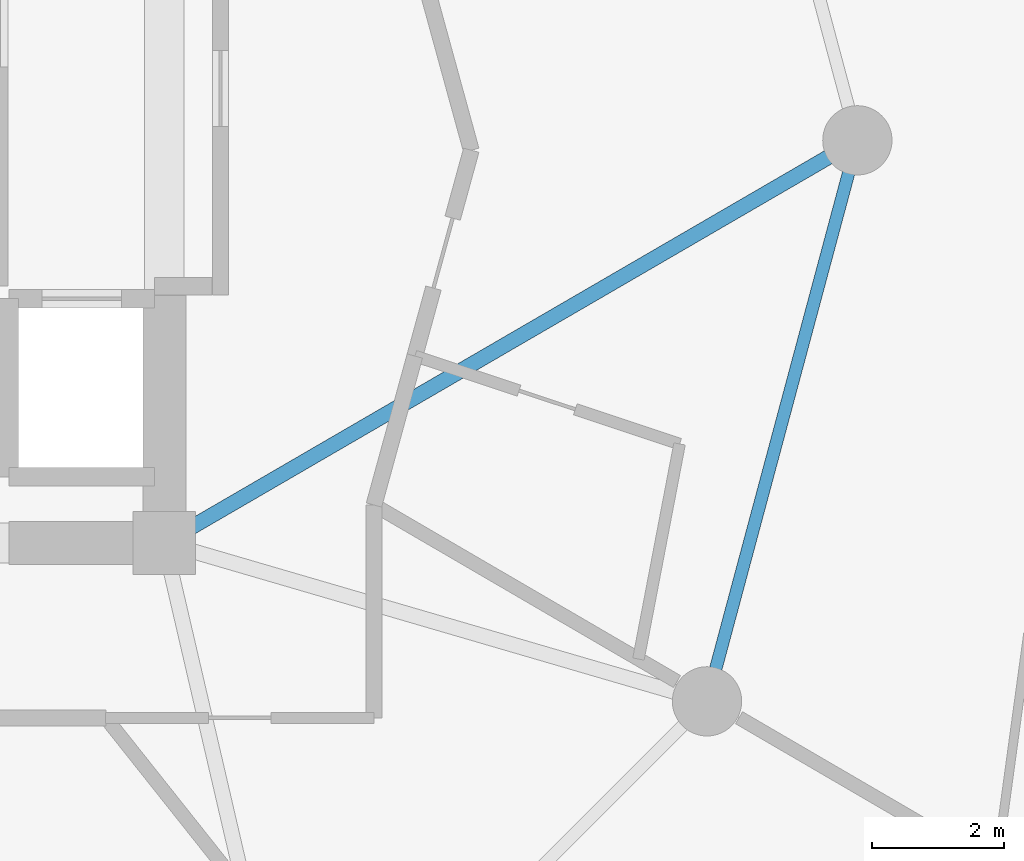
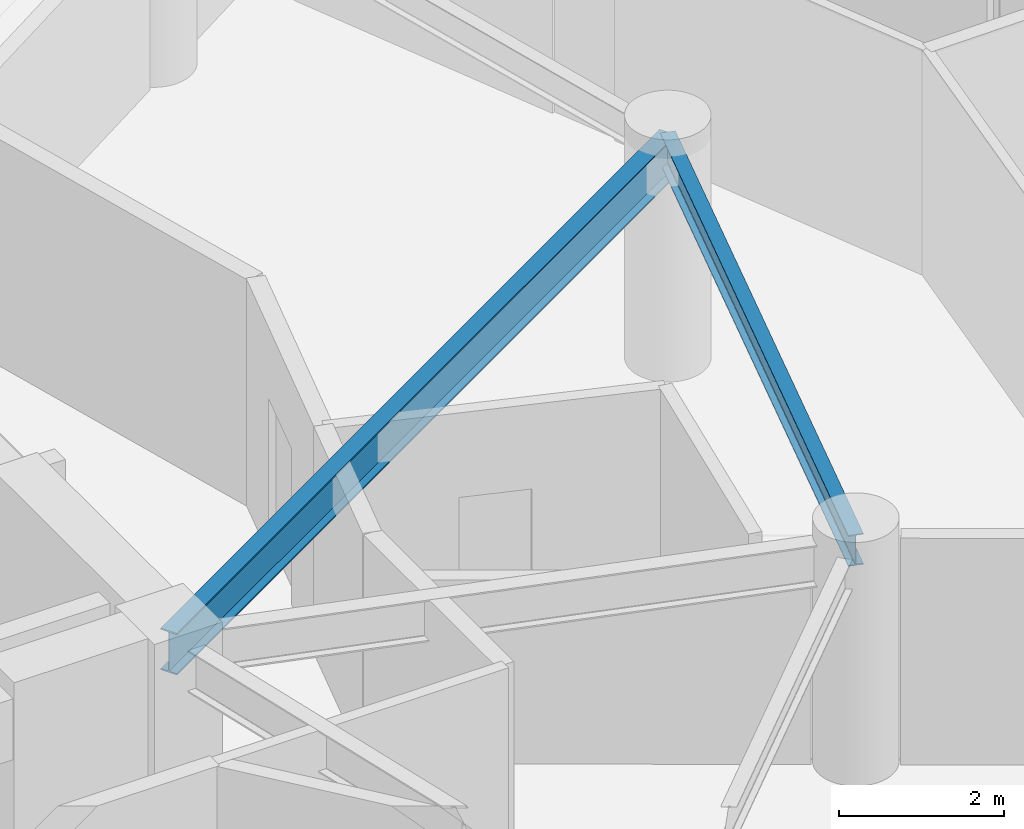
# One storey, part 10 of 21: 2 beams.
"""IFC4 building model written with IfcOpenShell, lengths in metres."""

from ifc_helpers import new_model, si_unit, direction, frame, origin, origin_2d, place, context, subcontext, project, spatial, i_section, extrude, material, material_profile, profile_set, type_object, element, save


model = new_model("IFC4")

# Units and contexts
model_context = context("Model", 3, precision=1e-05, world=origin(), true_north=direction((0.0, 1.0)))
body_context = subcontext(model_context, "Body", "Model", "MODEL_VIEW")
ifc_project = project(units=[si_unit("LENGTHUNIT", "METRE"), si_unit("AREAUNIT", "SQUARE_METRE"), si_unit("VOLUMEUNIT", "CUBIC_METRE"), si_unit("PLANEANGLEUNIT", "RADIAN"), si_unit("MASSUNIT", "GRAM", prefix="KILO")], contexts=[model_context])

# Site, building, storey
site_placement = place(None, origin())
site = spatial("IfcSite", under=ifc_project, at=site_placement, CompositionType="ELEMENT")
building_placement = place(site_placement, origin())
building = spatial("IfcBuilding", under=site, at=building_placement, Name="Solvirekh Grand Hotel", CompositionType="ELEMENT")
storey_placement = place(building_placement, frame((0.0, 0.0, 142.199951171875)))
storey = spatial("IfcBuildingStorey", under=building, at=storey_placement, Name="L36", CompositionType="ELEMENT", Elevation=142.199951171875)

# Beams
ifc_material = material(Name="Steel S355", Category="steel")
ifc_material_profile_1 = material_profile(ifc_material, i_section(OverallWidth=0.22802734375, OverallDepth=0.616943359375, WebThickness=0.012939453125, FlangeThickness=0.02001953125, FilletRadius=0.014892578125, at=origin_2d()), Name="W610X140")
ifc_profile_set_1 = profile_set([ifc_material_profile_1], Name="Steel S355")
beam_type_1 = type_object("IfcBeamType", Name="Beam_Radial_W610", PredefinedType="BEAM", material=ifc_profile_set_1)
beam_1_placement = place(storey_placement, frame((6.5, -6.10009765625, 3.0419921875), z_axis=(0.864670076815, 0.50234018181, 0.0), x_axis=(-0.50234018181, 0.864670076815, 0.0)))
element("IfcBeam", 1, at=beam_1_placement, inside=storey, type_object=beam_type_1, Name="L36 radial floor beam R01", PredefinedType="BEAM", context=body_context, shape_type="SweptSolid", body=[
    extrude(i_section(OverallWidth=0.22802734375, OverallDepth=0.616943359375, WebThickness=0.012939453125, FlangeThickness=0.02001953125, FilletRadius=0.014892578125, at=origin_2d()), origin(), (0.0, 0.0, 1.0), 12.143310546875),
])
ifc_material_profile_2 = material_profile(ifc_material, i_section(OverallWidth=0.18994140625, OverallDepth=0.45703125, WebThickness=0.009033203125, FlangeThickness=0.013916015625, FilletRadius=0.012939453125, at=origin_2d()), Name="W460X74")
ifc_profile_set_2 = profile_set([ifc_material_profile_2], Name="Steel S355")
beam_type_2 = type_object("IfcBeamType", Name="Spandrel_Ring_W460", PredefinedType="SPANDREL", material=ifc_profile_set_2)
beam_2_placement = place(storey_placement, frame((14.721923828125, -8.5, 3.1220703125), z_axis=(0.258872908946, 0.965911391906, 0.0), x_axis=(-0.965911391906, 0.258872908946, 0.0)))
element("IfcBeam", 2, at=beam_2_placement, inside=storey, type_object=beam_type_2, Name="L36 perimeter spandrel beam 12", PredefinedType="SPANDREL", context=body_context, shape_type="SweptSolid", body=[
    extrude(i_section(OverallWidth=0.18994140625, OverallDepth=0.45703125, WebThickness=0.009033203125, FlangeThickness=0.013916015625, FilletRadius=0.012939453125, at=origin_2d()), origin(), (0.0, 0.0, 1.0), 8.800048828125),
])

save(model, "model.ifc")
